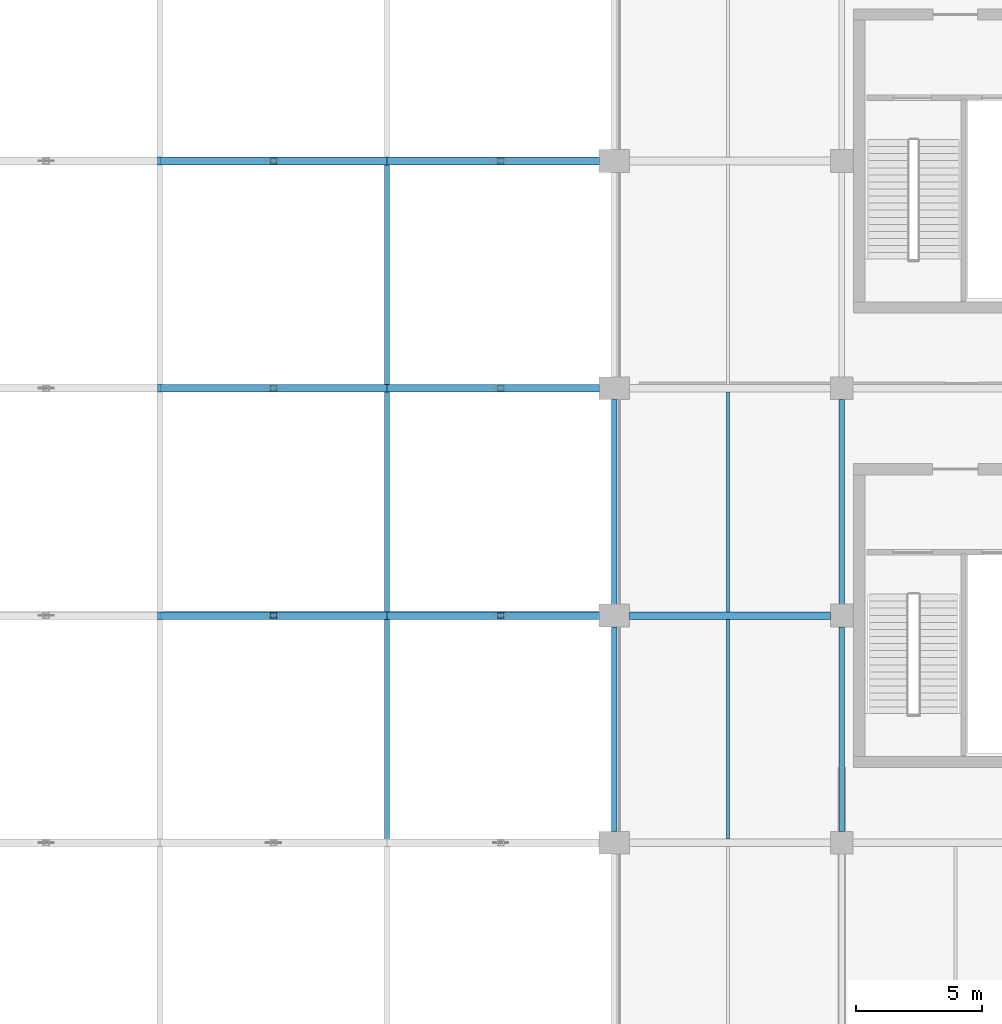
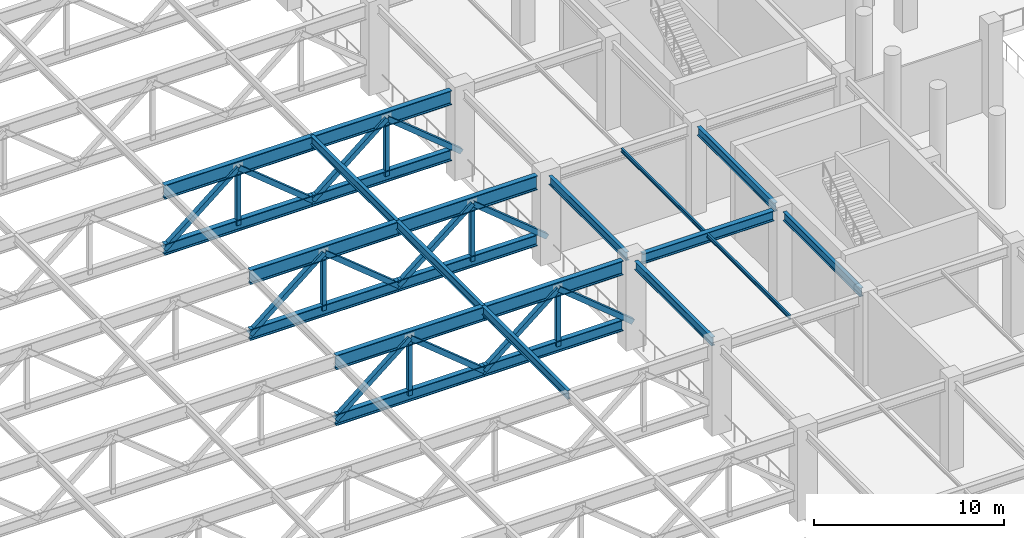
# One storey, part 24 of 223: 22 beams, 18 members.
"""IFC4 building model written with IfcOpenShell, lengths in metres."""

from ifc_helpers import new_model, si_unit, direction, frame, origin, origin_2d, place, context, subcontext, project, spatial, hollow_rectangle, i_section, extrude, material, material_profile, profile_set, type_object, element, save


model = new_model("IFC4")

# Units and contexts
model_context = context("Model", 3, precision=1e-05, world=origin(), true_north=direction((0.0, 1.0)))
body_context = subcontext(model_context, "Body", "Model", "MODEL_VIEW")
ifc_project = project(units=[si_unit("LENGTHUNIT", "METRE"), si_unit("AREAUNIT", "SQUARE_METRE"), si_unit("VOLUMEUNIT", "CUBIC_METRE"), si_unit("PLANEANGLEUNIT", "RADIAN"), si_unit("MASSUNIT", "GRAM", prefix="KILO")], contexts=[model_context])

# Site, building, storey
site_placement = place(None, origin())
site = spatial("IfcSite", under=ifc_project, at=site_placement, CompositionType="ELEMENT")
building_placement = place(site_placement, origin())
building = spatial("IfcBuilding", under=site, at=building_placement, Name="Dornveld Trade and Exhibition Forum", CompositionType="ELEMENT")
storey_placement = place(building_placement, frame((0.0, 0.0, 6.0)))
storey = spatial("IfcBuildingStorey", under=building, at=storey_placement, Name="L01", CompositionType="ELEMENT", Elevation=6.0)

# Beams
ifc_material_1 = material(Name="Steel S355J2", Category="steel")
ifc_material_profile_1 = material_profile(ifc_material_1, i_section(OverallWidth=0.300048828125, OverallDepth=0.64990234375, WebThickness=0.01611328125, FlangeThickness=0.031005859375, FilletRadius=0.027099609375, at=origin_2d()), Name="HEB 650")
ifc_profile_set_1 = profile_set([ifc_material_profile_1], Name="Steel S355J2")
beam_type_1 = type_object("IfcBeamType", Name="BM-GIR-HEB650", PredefinedType="USERDEFINED", material=ifc_profile_set_1)
beam_1_placement = place(storey_placement, frame((81.595947265625, 72.0, 5.31494140625), z_axis=(1.0, 0.0, 0.0), x_axis=(0.0, 1.0, 0.0)))
element("IfcBeam", 1, at=beam_1_placement, inside=storey, type_object=beam_type_1, Name="L01 X-girder 1178", ObjectType="GIRDER", PredefinedType="USERDEFINED", context=body_context, shape_type="SweptSolid", body=[
    extrude(i_section(OverallWidth=0.300048828125, OverallDepth=0.64990234375, WebThickness=0.01611328125, FlangeThickness=0.031005859375, FilletRadius=0.027099609375, at=origin_2d()), origin(), (0.0, 0.0, 1.0), 7.9580078125),
])
ifc_material_2 = material(Name="Steel S355J2", Category="steel")
ifc_material_profile_2 = material_profile(ifc_material_2, i_section(OverallWidth=0.1201171875, OverallDepth=0.239990234375, WebThickness=0.006103515625, FlangeThickness=0.009765625, FilletRadius=0.014892578125, at=origin_2d()), Name="IPE 240")
ifc_profile_set_2 = profile_set([ifc_material_profile_2], Name="Steel S355J2")
beam_type_2 = type_object("IfcBeamType", Name="BM-JOIST-240", PredefinedType="JOIST", material=ifc_profile_set_2)
for number, where, z_axis, x_axis, name in (
    (2, (85.5, 63.14697265625, 5.52001953125), (0.0, 1.0, 0.0), (-1.0, 0.0, 0.0), "L01 secondary joist 1253"),
    (3, (85.5, 72.14697265625, 5.52001953125), (0.0, 1.0, 0.0), (-1.0, 0.0, 0.0), "L01 secondary joist 1254"),
):
    element("IfcBeam", number, at=place(storey_placement, frame(where, z_axis=z_axis, x_axis=x_axis)), inside=storey, type_object=beam_type_2, Name=name, PredefinedType="JOIST", context=body_context, shape_type="SweptSolid", body=[
        extrude(i_section(OverallWidth=0.1201171875, OverallDepth=0.239990234375, WebThickness=0.006103515625, FlangeThickness=0.009765625, FilletRadius=0.014892578125, at=origin_2d()), origin(), (0.0, 0.0, 1.0), 8.7060546875),
    ])
ifc_material_3 = material(Name="Steel S355J2", Category="steel")
ifc_material_profile_3 = material_profile(ifc_material_3, i_section(OverallWidth=0.2099609375, OverallDepth=0.550048828125, WebThickness=0.010986328125, FlangeThickness=0.01708984375, FilletRadius=0.02392578125, at=origin_2d()), Name="IPE 550")
ifc_profile_set_3 = profile_set([ifc_material_profile_3], Name="Steel S355J2")
beam_type_3 = type_object("IfcBeamType", Name="BM-SEC-550", PredefinedType="BEAM", material=ifc_profile_set_3)
for number, where, z_axis, x_axis, name in (
    (4, (81.0, 63.446044921875, 5.364990234375), (0.0, 1.0, 0.0), (-1.0, 0.0, 0.0), "L01 Y-girder 1201"),
    (5, (81.0, 72.446044921875, 5.364990234375), (0.0, 1.0, 0.0), (-1.0, 0.0, 0.0), "L01 Y-girder 1202"),
    (6, (90.0, 63.446044921875, 5.364990234375), (0.0, 1.0, 0.0), (-1.0, 0.0, 0.0), "L01 Y-girder 1209"),
    (7, (90.0, 72.446044921875, 5.364990234375), (0.0, 1.0, 0.0), (-1.0, 0.0, 0.0), "L01 Y-girder 1210"),
):
    element("IfcBeam", number, at=place(storey_placement, frame(where, z_axis=z_axis, x_axis=x_axis)), inside=storey, type_object=beam_type_3, Name=name, PredefinedType="BEAM", context=body_context, shape_type="SweptSolid", body=[
        extrude(i_section(OverallWidth=0.2099609375, OverallDepth=0.550048828125, WebThickness=0.010986328125, FlangeThickness=0.01708984375, FilletRadius=0.02392578125, at=origin_2d()), origin(), (0.0, 0.0, 1.0), 8.10791015625),
    ])
for number, where, z_axis, x_axis, name in (
    (8, (72.0, 63.0, 5.364990234375), (0.0, 1.0, 0.0), (-1.0, 0.0, 0.0), "Hall 3 secondary deck beam 1421"),
    (9, (72.0, 72.0, 5.364990234375), (0.0, 1.0, 0.0), (-1.0, 0.0, 0.0), "Hall 3 secondary deck beam 1422"),
    (10, (72.0, 81.0, 5.364990234375), (0.0, 1.0, 0.0), (-1.0, 0.0, 0.0), "Hall 3 secondary deck beam 1423"),
):
    element("IfcBeam", number, at=place(storey_placement, frame(where, z_axis=z_axis, x_axis=x_axis)), inside=storey, type_object=beam_type_3, Name=name, PredefinedType="BEAM", context=body_context, shape_type="SweptSolid", body=[
        extrude(i_section(OverallWidth=0.2099609375, OverallDepth=0.550048828125, WebThickness=0.010986328125, FlangeThickness=0.01708984375, FilletRadius=0.02392578125, at=origin_2d()), origin(), (0.0, 0.0, 1.0), 9.0),
    ])
ifc_material_4 = material(Name="Steel S355J2", Category="steel")
ifc_material_profile_4 = material_profile(ifc_material_4, i_section(OverallWidth=0.303955078125, OverallDepth=0.716064453125, WebThickness=0.02099609375, FlangeThickness=0.0400390625, FilletRadius=0.027099609375, at=origin_2d()), Name="HEM 700")
ifc_profile_set_4 = profile_set([ifc_material_profile_4], Name="Steel S355J2")
beam_type_4 = type_object("IfcBeamType", Name="BM-TG-BOT700", PredefinedType="USERDEFINED", material=ifc_profile_set_4)
beam_2_placement = place(storey_placement, frame((63.0, 72.0, 1.5), z_axis=(1.0, 0.0, 0.0), x_axis=(0.0, 1.0, 0.0)))
element("IfcBeam", 11, at=beam_2_placement, inside=storey, type_object=beam_type_4, Name="Hall 3 transfer truss 4 bottom chord 5", ObjectType="GIRDER", PredefinedType="USERDEFINED", context=body_context, shape_type="SweptSolid", body=[
    extrude(i_section(OverallWidth=0.303955078125, OverallDepth=0.716064453125, WebThickness=0.02099609375, FlangeThickness=0.0400390625, FilletRadius=0.027099609375, at=origin_2d()), origin(), (0.0, 0.0, 1.0), 9.0),
])
beam_3_placement = place(storey_placement, frame((72.0, 72.0, 1.5), z_axis=(1.0, 0.0, 0.0), x_axis=(0.0, 1.0, 0.0)))
element("IfcBeam", 12, at=beam_3_placement, inside=storey, type_object=beam_type_4, Name="Hall 3 transfer truss 4 bottom chord 6", ObjectType="GIRDER", PredefinedType="USERDEFINED", context=body_context, shape_type="SweptSolid", body=[
    extrude(i_section(OverallWidth=0.303955078125, OverallDepth=0.716064453125, WebThickness=0.02099609375, FlangeThickness=0.0400390625, FilletRadius=0.027099609375, at=origin_2d()), origin(), (0.0, 0.0, 1.0), 8.404052734375),
])
beam_4_placement = place(storey_placement, frame((63.0, 81.0, 1.5), z_axis=(1.0, 0.0, 0.0), x_axis=(0.0, 1.0, 0.0)))
element("IfcBeam", 13, at=beam_4_placement, inside=storey, type_object=beam_type_4, Name="Hall 3 transfer truss 5 bottom chord 5", ObjectType="GIRDER", PredefinedType="USERDEFINED", context=body_context, shape_type="SweptSolid", body=[
    extrude(i_section(OverallWidth=0.303955078125, OverallDepth=0.716064453125, WebThickness=0.02099609375, FlangeThickness=0.0400390625, FilletRadius=0.027099609375, at=origin_2d()), origin(), (0.0, 0.0, 1.0), 9.0),
])
beam_5_placement = place(storey_placement, frame((72.0, 81.0, 1.5), z_axis=(1.0, 0.0, 0.0), x_axis=(0.0, 1.0, 0.0)))
element("IfcBeam", 14, at=beam_5_placement, inside=storey, type_object=beam_type_4, Name="Hall 3 transfer truss 5 bottom chord 6", ObjectType="GIRDER", PredefinedType="USERDEFINED", context=body_context, shape_type="SweptSolid", body=[
    extrude(i_section(OverallWidth=0.303955078125, OverallDepth=0.716064453125, WebThickness=0.02099609375, FlangeThickness=0.0400390625, FilletRadius=0.027099609375, at=origin_2d()), origin(), (0.0, 0.0, 1.0), 8.404052734375),
])
beam_6_placement = place(storey_placement, frame((63.0, 90.0, 1.5), z_axis=(1.0, 0.0, 0.0), x_axis=(0.0, 1.0, 0.0)))
element("IfcBeam", 15, at=beam_6_placement, inside=storey, type_object=beam_type_4, Name="Hall 3 transfer truss 6 bottom chord 5", ObjectType="GIRDER", PredefinedType="USERDEFINED", context=body_context, shape_type="SweptSolid", body=[
    extrude(i_section(OverallWidth=0.303955078125, OverallDepth=0.716064453125, WebThickness=0.02099609375, FlangeThickness=0.0400390625, FilletRadius=0.027099609375, at=origin_2d()), origin(), (0.0, 0.0, 1.0), 9.0),
])
beam_7_placement = place(storey_placement, frame((72.0, 90.0, 1.5), z_axis=(1.0, 0.0, 0.0), x_axis=(0.0, 1.0, 0.0)))
element("IfcBeam", 16, at=beam_7_placement, inside=storey, type_object=beam_type_4, Name="Hall 3 transfer truss 6 bottom chord 6", ObjectType="GIRDER", PredefinedType="USERDEFINED", context=body_context, shape_type="SweptSolid", body=[
    extrude(i_section(OverallWidth=0.303955078125, OverallDepth=0.716064453125, WebThickness=0.02099609375, FlangeThickness=0.0400390625, FilletRadius=0.027099609375, at=origin_2d()), origin(), (0.0, 0.0, 1.0), 8.404052734375),
])
ifc_material_5 = material(Name="Steel S355J2", Category="steel")
ifc_material_profile_5 = material_profile(ifc_material_5, i_section(OverallWidth=0.302001953125, OverallDepth=0.909912109375, WebThickness=0.02099609375, FlangeThickness=0.0400390625, FilletRadius=0.030029296875, at=origin_2d()), Name="HEM 900")
ifc_profile_set_5 = profile_set([ifc_material_profile_5], Name="Steel S355J2")
beam_type_5 = type_object("IfcBeamType", Name="BM-TG-TOP900", PredefinedType="USERDEFINED", material=ifc_profile_set_5)
beam_8_placement = place(storey_placement, frame((63.0, 72.0, 5.18505859375), z_axis=(1.0, 0.0, 0.0), x_axis=(0.0, 1.0, 0.0)))
element("IfcBeam", 17, at=beam_8_placement, inside=storey, type_object=beam_type_5, Name="Hall 3 transfer truss 4 top chord 5", ObjectType="GIRDER", PredefinedType="USERDEFINED", context=body_context, shape_type="SweptSolid", body=[
    extrude(i_section(OverallWidth=0.302001953125, OverallDepth=0.909912109375, WebThickness=0.02099609375, FlangeThickness=0.0400390625, FilletRadius=0.030029296875, at=origin_2d()), origin(), (0.0, 0.0, 1.0), 9.0),
])
beam_9_placement = place(storey_placement, frame((72.0, 72.0, 5.18505859375), z_axis=(1.0, 0.0, 0.0), x_axis=(0.0, 1.0, 0.0)))
element("IfcBeam", 18, at=beam_9_placement, inside=storey, type_object=beam_type_5, Name="Hall 3 transfer truss 4 top chord 6", ObjectType="GIRDER", PredefinedType="USERDEFINED", context=body_context, shape_type="SweptSolid", body=[
    extrude(i_section(OverallWidth=0.302001953125, OverallDepth=0.909912109375, WebThickness=0.02099609375, FlangeThickness=0.0400390625, FilletRadius=0.030029296875, at=origin_2d()), origin(), (0.0, 0.0, 1.0), 8.404052734375),
])
beam_10_placement = place(storey_placement, frame((63.0, 81.0, 5.18505859375), z_axis=(1.0, 0.0, 0.0), x_axis=(0.0, 1.0, 0.0)))
element("IfcBeam", 19, at=beam_10_placement, inside=storey, type_object=beam_type_5, Name="Hall 3 transfer truss 5 top chord 5", ObjectType="GIRDER", PredefinedType="USERDEFINED", context=body_context, shape_type="SweptSolid", body=[
    extrude(i_section(OverallWidth=0.302001953125, OverallDepth=0.909912109375, WebThickness=0.02099609375, FlangeThickness=0.0400390625, FilletRadius=0.030029296875, at=origin_2d()), origin(), (0.0, 0.0, 1.0), 9.0),
])
beam_11_placement = place(storey_placement, frame((72.0, 81.0, 5.18505859375), z_axis=(1.0, 0.0, 0.0), x_axis=(0.0, 1.0, 0.0)))
element("IfcBeam", 20, at=beam_11_placement, inside=storey, type_object=beam_type_5, Name="Hall 3 transfer truss 5 top chord 6", ObjectType="GIRDER", PredefinedType="USERDEFINED", context=body_context, shape_type="SweptSolid", body=[
    extrude(i_section(OverallWidth=0.302001953125, OverallDepth=0.909912109375, WebThickness=0.02099609375, FlangeThickness=0.0400390625, FilletRadius=0.030029296875, at=origin_2d()), origin(), (0.0, 0.0, 1.0), 8.404052734375),
])
beam_12_placement = place(storey_placement, frame((63.0, 90.0, 5.18505859375), z_axis=(1.0, 0.0, 0.0), x_axis=(0.0, 1.0, 0.0)))
element("IfcBeam", 21, at=beam_12_placement, inside=storey, type_object=beam_type_5, Name="Hall 3 transfer truss 6 top chord 5", ObjectType="GIRDER", PredefinedType="USERDEFINED", context=body_context, shape_type="SweptSolid", body=[
    extrude(i_section(OverallWidth=0.302001953125, OverallDepth=0.909912109375, WebThickness=0.02099609375, FlangeThickness=0.0400390625, FilletRadius=0.030029296875, at=origin_2d()), origin(), (0.0, 0.0, 1.0), 9.0),
])
beam_13_placement = place(storey_placement, frame((72.0, 90.0, 5.18505859375), z_axis=(1.0, 0.0, 0.0), x_axis=(0.0, 1.0, 0.0)))
element("IfcBeam", 22, at=beam_13_placement, inside=storey, type_object=beam_type_5, Name="Hall 3 transfer truss 6 top chord 6", ObjectType="GIRDER", PredefinedType="USERDEFINED", context=body_context, shape_type="SweptSolid", body=[
    extrude(i_section(OverallWidth=0.302001953125, OverallDepth=0.909912109375, WebThickness=0.02099609375, FlangeThickness=0.0400390625, FilletRadius=0.030029296875, at=origin_2d()), origin(), (0.0, 0.0, 1.0), 8.404052734375),
])

# Members
ifc_material_6 = material(Name="Steel S355J2", Category="steel")
ifc_material_profile_6 = material_profile(ifc_material_6, hollow_rectangle(XDim=0.25, YDim=0.25, WallThickness=0.012451171875, at=origin_2d()), Name="SHS 250x250x12.5")
ifc_profile_set_6 = profile_set([ifc_material_profile_6], Name="Steel S355J2")
member_type_1 = type_object("IfcMemberType", Name="MEM-XFER-STR", PredefinedType="STRUT", material=ifc_profile_set_6)
for number, where, z_axis, x_axis, name in (
    (23, (67.5, 72.0, 1.5), (0.0, 0.0, 1.0), (1.0, 0.0, 0.0), "Transfer truss 4 strut 69"),
    (24, (76.5, 72.0, 1.5), (0.0, 0.0, 1.0), (1.0, 0.0, 0.0), "Transfer truss 4 strut 72"),
    (25, (67.5, 81.0, 1.5), (0.0, 0.0, 1.0), (1.0, 0.0, 0.0), "Transfer truss 5 strut 87"),
    (26, (76.5, 81.0, 1.5), (0.0, 0.0, 1.0), (1.0, 0.0, 0.0), "Transfer truss 5 strut 90"),
    (27, (67.5, 90.0, 1.5), (0.0, 0.0, 1.0), (1.0, 0.0, 0.0), "Transfer truss 6 strut 105"),
    (28, (76.5, 90.0, 1.5), (0.0, 0.0, 1.0), (1.0, 0.0, 0.0), "Transfer truss 6 strut 108"),
):
    element("IfcMember", number, at=place(storey_placement, frame(where, z_axis=z_axis, x_axis=x_axis)), inside=storey, type_object=member_type_1, Name=name, PredefinedType="STRUT", context=body_context, shape_type="SweptSolid", body=[
        extrude(hollow_rectangle(XDim=0.25, YDim=0.25, WallThickness=0.012451171875, at=origin_2d()), origin(), (0.0, 0.0, 1.0), 3.68505859375),
    ])
ifc_material_7 = material(Name="Steel S355J2", Category="steel")
ifc_material_profile_7 = material_profile(ifc_material_7, hollow_rectangle(XDim=0.300048828125, YDim=0.300048828125, WallThickness=0.01611328125, at=origin_2d()), Name="SHS 300x300x16")
ifc_profile_set_7 = profile_set([ifc_material_profile_7], Name="Steel S355J2")
member_type_2 = type_object("IfcMemberType", Name="MEM-XFER-WEB", PredefinedType="BRACE", material=ifc_profile_set_7)
for number, where, z_axis, x_axis, name in (
    (29, (63.0, 72.0, 1.5), (0.773684181611, 0.0, 0.633571453843), (0.0, 1.0, 0.0), "Transfer truss 4 web 67"),
    (30, (72.0, 72.0, 1.5), (-0.773684181611, 0.0, 0.633571453843), (0.0, -1.0, 0.0), "Transfer truss 4 web 68"),
    (31, (72.0, 72.0, 1.5), (0.773684181611, 0.0, 0.633571453843), (0.0, 1.0, 0.0), "Transfer truss 4 web 70"),
    (32, (81.0, 72.0, 1.5), (-0.773684181611, 0.0, 0.633571453843), (0.0, -1.0, 0.0), "Transfer truss 4 web 71"),
    (33, (63.0, 81.0, 1.5), (0.773684181611, 0.0, 0.633571453843), (0.0, 1.0, 0.0), "Transfer truss 5 web 85"),
    (34, (72.0, 81.0, 1.5), (-0.773684181611, 0.0, 0.633571453843), (0.0, -1.0, 0.0), "Transfer truss 5 web 86"),
    (35, (72.0, 81.0, 1.5), (0.773684181611, 0.0, 0.633571453843), (0.0, 1.0, 0.0), "Transfer truss 5 web 88"),
    (36, (81.0, 81.0, 1.5), (-0.773684181611, 0.0, 0.633571453843), (0.0, -1.0, 0.0), "Transfer truss 5 web 89"),
    (37, (63.0, 90.0, 1.5), (0.773684181611, 0.0, 0.633571453843), (0.0, 1.0, 0.0), "Transfer truss 6 web 103"),
    (38, (72.0, 90.0, 1.5), (-0.773684181611, 0.0, 0.633571453843), (0.0, -1.0, 0.0), "Transfer truss 6 web 104"),
    (39, (72.0, 90.0, 1.5), (0.773684181611, 0.0, 0.633571453843), (0.0, 1.0, 0.0), "Transfer truss 6 web 106"),
    (40, (81.0, 90.0, 1.5), (-0.773684181611, 0.0, 0.633571453843), (0.0, -1.0, 0.0), "Transfer truss 6 web 107"),
):
    element("IfcMember", number, at=place(storey_placement, frame(where, z_axis=z_axis, x_axis=x_axis)), inside=storey, type_object=member_type_2, Name=name, PredefinedType="BRACE", context=body_context, shape_type="SweptSolid", body=[
        extrude(hollow_rectangle(XDim=0.300048828125, YDim=0.300048828125, WallThickness=0.01611328125, at=origin_2d()), origin(), (0.0, 0.0, 1.0), 5.81640625),
    ])

save(model, "model.ifc")
